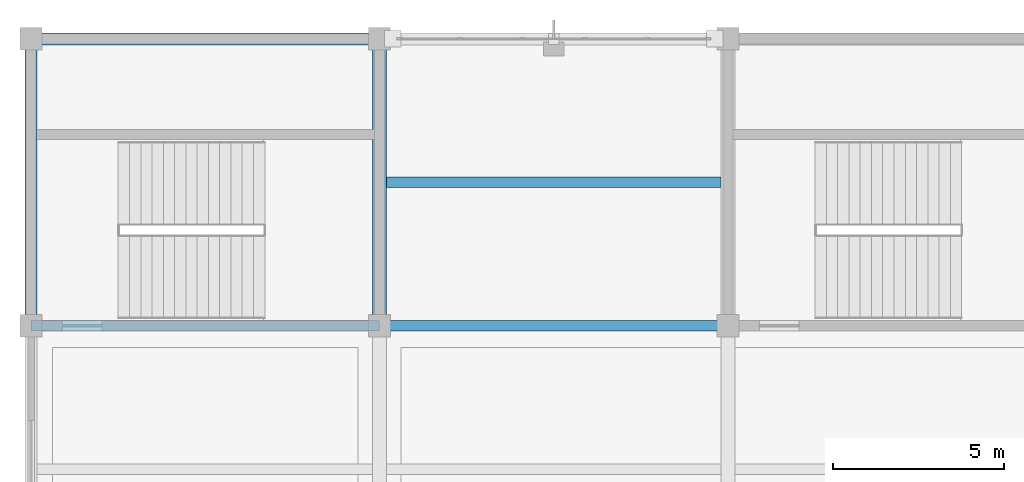
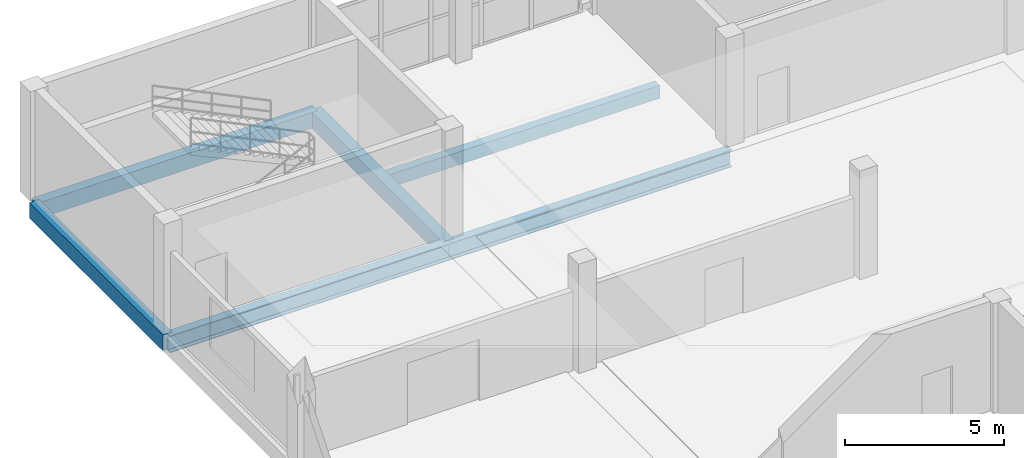
# One storey, part 92 of 135: 6 beams.
"""IFC4 building model written with IfcOpenShell, lengths in metres."""

from ifc_helpers import new_model, si_unit, direction, frame, origin, origin_2d, place, context, subcontext, project, spatial, rectangle, i_section, extrude, material, material_profile, profile_set, type_object, element, save


model = new_model("IFC4")

# Units and contexts
model_context = context("Model", 3, precision=1e-05, world=origin(), true_north=direction((0.0, 1.0)))
body_context = subcontext(model_context, "Body", "Model", "MODEL_VIEW")
ifc_project = project(units=[si_unit("LENGTHUNIT", "METRE"), si_unit("AREAUNIT", "SQUARE_METRE"), si_unit("VOLUMEUNIT", "CUBIC_METRE"), si_unit("PLANEANGLEUNIT", "RADIAN"), si_unit("MASSUNIT", "GRAM", prefix="KILO")], contexts=[model_context])

# Site, building, storey
site_placement = place(None, origin())
site = spatial("IfcSite", under=ifc_project, at=site_placement, CompositionType="ELEMENT")
building_placement = place(site_placement, origin())
building = spatial("IfcBuilding", under=site, at=building_placement, Name="Brelvane Convention Centre", CompositionType="ELEMENT")
storey_placement = place(building_placement, frame((0.0, 0.0, 15.0)))
storey = spatial("IfcBuildingStorey", under=building, at=storey_placement, Name="L03", CompositionType="ELEMENT", Elevation=15.0)

# Beams
ifc_material_1 = material(Name="Concrete M40", Category="concrete")
ifc_material_profile_1 = material_profile(ifc_material_1, rectangle(XDim=0.39990234375, YDim=0.64990234375, at=origin_2d()), Name="RC 400x650")
ifc_profile_set_1 = profile_set([ifc_material_profile_1], Name="Concrete M40")
beam_type_1 = type_object("IfcBeamType", Name="RC Beam B-RC7 (RC 400x650)", PredefinedType="BEAM", material=ifc_profile_set_1)
beam_1_placement = place(storey_placement, frame((10.199951171875, 135.60009765625, -0.6201171875), z_axis=(0.0, 1.0, 0.0), x_axis=(-1.0, 0.0, 0.0)))
element("IfcBeam", 1, at=beam_1_placement, inside=storey, type_object=beam_type_1, Name="L03 Girder 2/P-Q", PredefinedType="BEAM", context=body_context, shape_type="SweptSolid", body=[
    extrude(rectangle(XDim=0.39990234375, YDim=0.64990234375, at=origin_2d()), origin(), (0.0, 0.0, 1.0), 8.39990234375),
])
ifc_material_2 = material(Name="Concrete M40", Category="concrete")
ifc_material_profile_2 = material_profile(ifc_material_2, rectangle(XDim=0.300048828125, YDim=0.5, at=origin_2d()), Name="RC 300x500")
ifc_profile_set_2 = profile_set([ifc_material_profile_2], Name="Concrete M40")
beam_type_2 = type_object("IfcBeamType", Name="RC Joist J-RC2 (RC 300x500)", PredefinedType="JOIST", material=ifc_profile_set_2)
beam_2_placement = place(storey_placement, frame((10.39990234375, 139.800048828125, -0.544921875), z_axis=(1.0, 0.0, 0.0), x_axis=(0.0, 1.0, 0.0)))
element("IfcBeam", 2, at=beam_2_placement, inside=storey, type_object=beam_type_2, Name="L03 Secondary Joist 2-3/PQ", PredefinedType="JOIST", context=body_context, shape_type="SweptSolid", body=[
    extrude(rectangle(XDim=0.300048828125, YDim=0.5, at=origin_2d()), origin(), (0.0, 0.0, 1.0), 9.800048828125),
])
ifc_material_3 = material(Name="Concrete M40", Category="concrete")
ifc_material_profile_3 = material_profile(ifc_material_3, rectangle(XDim=0.35009765625, YDim=0.60009765625, at=origin_2d()), Name="RC 350x600")
ifc_profile_set_3 = profile_set([ifc_material_profile_3], Name="Concrete M40")
beam_type_3 = type_object("IfcBeamType", Name="RC Spandrel SP-RC2 (RC 350x600)", PredefinedType="SPANDREL", material=ifc_profile_set_3)
beam_3_placement = place(storey_placement, frame((0.0, 144.0, -0.594970703125), z_axis=(1.0, 0.0, 0.0), x_axis=(0.0, 1.0, 0.0)))
element("IfcBeam", 3, at=beam_3_placement, inside=storey, type_object=beam_type_3, Name="L03 Beam 1-2/Q", PredefinedType="SPANDREL", context=body_context, shape_type="SweptSolid", body=[
    extrude(rectangle(XDim=0.35009765625, YDim=0.60009765625, at=origin_2d()), origin(), (0.0, 0.0, 1.0), 10.199951171875),
])
beam_4_placement = place(storey_placement, frame((0.0, 135.60009765625, -0.594970703125), z_axis=(0.0, 1.0, 0.0), x_axis=(-1.0, 0.0, 0.0)))
element("IfcBeam", 4, at=beam_4_placement, inside=storey, type_object=beam_type_3, Name="L03 Girder 1/P-Q", PredefinedType="SPANDREL", context=body_context, shape_type="SweptSolid", body=[
    extrude(rectangle(XDim=0.35009765625, YDim=0.60009765625, at=origin_2d()), origin(), (0.0, 0.0, 1.0), 8.39990234375),
])
ifc_material_4 = material(Name="Steel E350 (350 MPa)", Category="steel")
ifc_material_profile_4 = material_profile(ifc_material_4, i_section(OverallWidth=0.300048828125, OverallDepth=0.64990234375, WebThickness=0.014404296875, FlangeThickness=0.02587890625, FilletRadius=0.02392578125, at=origin_2d()), Name="NPB 650x300")
ifc_profile_set_4 = profile_set([ifc_material_profile_4], Name="Steel E350 (350 MPa)")
beam_type_4 = type_object("IfcBeamType", Name="Steel Beam B-ST4 (NPB 650x300)", PredefinedType="BEAM", material=ifc_profile_set_4)
for number, where, z_axis, x_axis, name in (
    (5, (0.0, 135.60009765625, -0.6201171875), (1.0, 0.0, 0.0), (0.0, 1.0, 0.0), "L03 Beam 1-2/P"),
    (6, (10.199951171875, 135.60009765625, -0.6201171875), (1.0, 0.0, 0.0), (0.0, 1.0, 0.0), "L03 Beam 2-3/P"),
):
    element("IfcBeam", number, at=place(storey_placement, frame(where, z_axis=z_axis, x_axis=x_axis)), inside=storey, type_object=beam_type_4, Name=name, PredefinedType="BEAM", context=body_context, shape_type="SweptSolid", body=[
        extrude(i_section(OverallWidth=0.300048828125, OverallDepth=0.64990234375, WebThickness=0.014404296875, FlangeThickness=0.02587890625, FilletRadius=0.02392578125, at=origin_2d()), origin(), (0.0, 0.0, 1.0), 10.199951171875),
    ])

save(model, "model.ifc")
